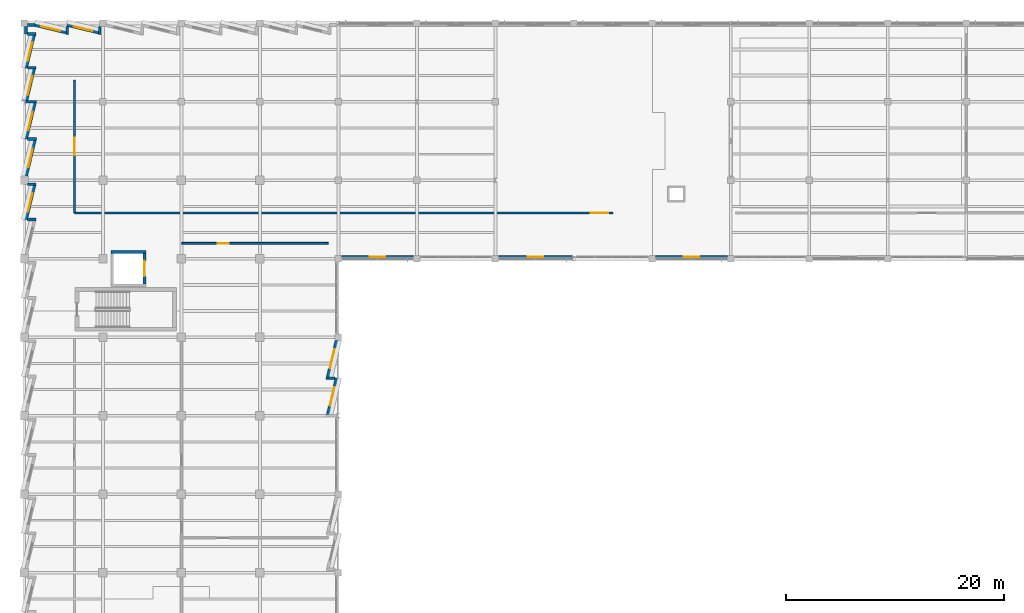
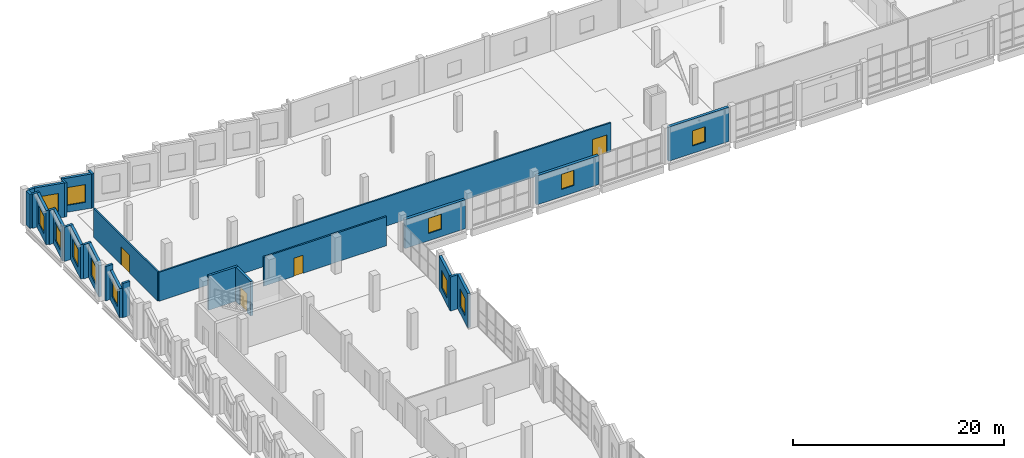
# One storey, part 72 of 94: 28 walls, 12 windows, 4 doors, 16 openings.
"""IFC4 building model written with IfcOpenShell, lengths in metres."""

from ifc_helpers import new_model, si_unit, direction, frame, frame_2d, origin, place, context, subcontext, project, spatial, rectangle, extrude, material, layer, layer_set, type_object, element, fill, save


model = new_model("IFC4")

# Units and contexts
model_context = context("Model", 3, precision=1e-05, world=origin(), true_north=direction((0.0, 1.0)))
body_context = subcontext(model_context, "Body", "Model", "MODEL_VIEW")
ifc_project = project(units=[si_unit("LENGTHUNIT", "METRE"), si_unit("AREAUNIT", "SQUARE_METRE"), si_unit("VOLUMEUNIT", "CUBIC_METRE"), si_unit("PLANEANGLEUNIT", "RADIAN"), si_unit("MASSUNIT", "GRAM", prefix="KILO")], contexts=[model_context])

# Site, building, storey
site_placement = place(None, origin())
site = spatial("IfcSite", under=ifc_project, at=site_placement, CompositionType="ELEMENT")
building_placement = place(site_placement, origin())
building = spatial("IfcBuilding", under=site, at=building_placement, Name="Kalmorath City Hall", CompositionType="ELEMENT")
storey_placement = place(building_placement, frame((0.0, 0.0, 14.699951171875)))
storey = spatial("IfcBuildingStorey", under=building, at=storey_placement, Name="L03", CompositionType="ELEMENT", Elevation=14.699951171875)

# Wall, opening, door
ifc_material_1 = material(Name="High-STC double-stud acoustic partition")
ifc_layer_1 = layer(ifc_material_1, 0.1650390625)
ifc_layer_set_1 = layer_set([ifc_layer_1], Name="High-STC double-stud acoustic partition")
wall_type_1 = type_object("IfcWallType", Name="Chamber and committee acoustic partition 165", PredefinedType="PARTITIONING", material=ifc_layer_set_1)
wall_1_placement = place(storey_placement, frame((4.60009765625, 97.840087890625, 0.0), z_axis=(0.0, 0.0, 1.0), x_axis=(0.0, 1.0, 0.0)))
wall_1 = element("IfcWall", 1, at=wall_1_placement, inside=storey, type_object=wall_type_1, Name="L03 interior partition PW3 #132", PredefinedType="PARTITIONING", context=body_context, shape_type="SweptSolid", body=[
    extrude(rectangle(XDim=12.119873046875, YDim=0.1650390625, at=frame_2d((6.06005859375, 0.0))), origin(), (0.0, 0.0, 1.0), 3.365966796875),
])
opening_1_placement = place(wall_1_placement, frame((5.260009765625, 0.0, 0.0)))
opening_1 = element("IfcOpeningElement", 2, at=opening_1_placement, cuts=wall_1, Name="Opening D-L03-230", PredefinedType="OPENING", context=body_context, shape_type="SweptSolid", body=[
    extrude(rectangle(XDim=1.60009765625, YDim=2.10009765625, at=frame_2d((0.800048828125, 1.050048828125))), frame((0.0, 0.092529296875, 0.0), z_axis=(0.0, -1.0, 0.0), x_axis=(1.0, 0.0, 0.0)), (0.0, 0.0, 1.0), 0.18505859375),
])
ifc_material_2 = material(Name="Acoustic hardwood fire door", Category="wood")
door_type_1 = type_object("IfcDoorType", Name="Committee double fire door 1600x2100", OperationType="DOUBLE_DOOR_SINGLE_SWING", PredefinedType="DOOR", material=ifc_material_2)
door_1_placement = place(opening_1_placement, origin())
door_1 = element("IfcDoor", 3, at=door_1_placement, inside=storey, type_object=door_type_1, Name="L03 door D-L03-230", OperationType="DOUBLE_DOOR_SINGLE_SWING", OverallHeight=2.10009765625, OverallWidth=1.60009765625, PredefinedType="DOOR", context=body_context, shape_type="SweptSolid", body=[
    extrude(rectangle(XDim=1.60009765625, YDim=2.10009765625, at=frame_2d((0.800048828125, 1.050048828125))), frame((0.0, 0.02490234375, 0.0), z_axis=(0.0, -1.0, 0.0), x_axis=(1.0, 0.0, 0.0)), (0.0, 0.0, 1.0), 0.050048828125),
])
fill(opening_1, door_1)

wall_2_placement = place(storey_placement, frame((4.639892578125, 97.800048828125, 0.0), z_axis=(0.0, 0.0, 1.0), x_axis=(1.0, 0.0, 0.0)))
wall_2 = element("IfcWall", 4, at=wall_2_placement, inside=storey, type_object=wall_type_1, Name="L03 interior partition PW3 #140", PredefinedType="PARTITIONING", context=body_context, shape_type="SweptSolid", body=[
    extrude(rectangle(XDim=49.320068359375, YDim=0.1650390625, at=frame_2d((24.66015625, 0.0))), origin(), (0.0, 0.0, 1.0), 3.35205078125),
])
opening_2_placement = place(wall_2_placement, frame((47.300048828125, 0.0, 0.0)))
opening_2 = element("IfcOpeningElement", 5, at=opening_2_placement, cuts=wall_2, Name="Opening D-L03-229", PredefinedType="OPENING", context=body_context, shape_type="SweptSolid", body=[
    extrude(rectangle(XDim=1.60009765625, YDim=2.10009765625, at=frame_2d((0.800048828125, 1.050048828125))), frame((0.0, 0.092529296875, 0.0), z_axis=(0.0, -1.0, 0.0), x_axis=(1.0, 0.0, 0.0)), (0.0, 0.0, 1.0), 0.18505859375),
])
door_2_placement = place(opening_2_placement, origin())
door_2 = element("IfcDoor", 6, at=door_2_placement, inside=storey, type_object=door_type_1, Name="L03 door D-L03-229", OperationType="DOUBLE_DOOR_SINGLE_SWING", OverallHeight=2.10009765625, OverallWidth=1.60009765625, PredefinedType="DOOR", context=body_context, shape_type="SweptSolid", body=[
    extrude(rectangle(XDim=1.60009765625, YDim=2.10009765625, at=frame_2d((0.800048828125, 1.050048828125))), frame((0.0, 0.02490234375, 0.0), z_axis=(0.0, -1.0, 0.0), x_axis=(1.0, 0.0, 0.0)), (0.0, 0.0, 1.0), 0.050048828125),
])
fill(opening_2, door_2)

# Wall
ifc_material_3 = material(Name="Concrete C50/60", Category="concrete")
ifc_layer_2 = layer(ifc_material_3, 0.25)
ifc_layer_set_2 = layer_set([ifc_layer_2], Name="Concrete C50/60")
wall_type_2 = type_object("IfcWallType", Name="Concrete lift shaft wall 250", PredefinedType="SHEAR", material=ifc_layer_set_2)
wall_3_placement = place(storey_placement, frame((11.14990234375, 94.22509765625, 0.0), z_axis=(0.0, 0.0, 1.0), x_axis=(-1.0, 0.0, 0.0)))
element("IfcWall", 7, at=wall_3_placement, inside=storey, type_object=wall_type_2, Name="L03 SL1 lift shaft wall +y", PredefinedType="SHEAR", context=body_context, shape_type="SweptSolid", body=[
    extrude(rectangle(XDim=3.199951171875, YDim=0.25, at=frame_2d((1.60009765625, 0.0))), origin(), (0.0, 0.0, 1.0), 3.949951171875),
])

# Wall, opening, door
wall_4_placement = place(storey_placement, frame((11.02490234375, 91.300048828125, 0.0), z_axis=(0.0, 0.0, 1.0), x_axis=(0.0, 1.0, 0.0)))
wall_4 = element("IfcWall", 8, at=wall_4_placement, inside=storey, type_object=wall_type_2, Name="L03 SL1 lift shaft wall +x", PredefinedType="SHEAR", context=body_context, shape_type="SweptSolid", body=[
    extrude(rectangle(XDim=2.800048828125, YDim=0.25, at=frame_2d((1.39990234375, 0.0))), origin(), (0.0, 0.0, 1.0), 3.949951171875),
])
opening_3_placement = place(wall_4_placement, frame((0.699951171875, 0.0, 0.0)))
opening_3 = element("IfcOpeningElement", 9, at=opening_3_placement, cuts=wall_4, Name="Opening LD-089", PredefinedType="OPENING", context=body_context, shape_type="SweptSolid", body=[
    extrude(rectangle(XDim=1.39990234375, YDim=2.14990234375, at=frame_2d((0.699951171875, 1.074951171875))), frame((0.0, 0.135009765625, 0.0), z_axis=(0.0, -1.0, 0.0), x_axis=(1.0, 0.0, 0.0)), (0.0, 0.0, 1.0), 0.27001953125),
])
ifc_material_4 = material(Name="Stainless steel sliding landing door", Category="steel")
door_type_2 = type_object("IfcDoorType", Name="Goods lift sliding landing door 1400x2150", OperationType="SLIDING_TO_LEFT", PredefinedType="DOOR", material=ifc_material_4)
door_3_placement = place(opening_3_placement, origin())
door_3 = element("IfcDoor", 10, at=door_3_placement, inside=storey, type_object=door_type_2, Name="L03 door LD-089", OperationType="SLIDING_TO_LEFT", OverallHeight=2.14990234375, OverallWidth=1.39990234375, PredefinedType="DOOR", context=body_context, shape_type="SweptSolid", body=[
    extrude(rectangle(XDim=1.39990234375, YDim=2.14990234375, at=frame_2d((0.699951171875, 1.074951171875))), frame((0.0, 0.02490234375, 0.0), z_axis=(0.0, -1.0, 0.0), x_axis=(1.0, 0.0, 0.0)), (0.0, 0.0, 1.0), 0.050048828125),
])
fill(opening_3, door_3)

ifc_material_5 = material(Name="Fire-rated acoustic gypsum partition")
ifc_layer_3 = layer(ifc_material_5, 0.179931640625)
ifc_layer_set_3 = layer_set([ifc_layer_3], Name="Fire-rated acoustic gypsum partition")
wall_type_3 = type_object("IfcWallType", Name="One-hour corridor fire partition 180", PredefinedType="PARTITIONING", material=ifc_layer_set_3)
wall_5_placement = place(storey_placement, frame((14.43994140625, 95.0, 0.0), z_axis=(0.0, 0.0, 1.0), x_axis=(1.0, 0.0, 0.0)))
wall_5 = element("IfcWall", 11, at=wall_5_placement, inside=storey, type_object=wall_type_3, Name="L03 interior partition PW2 #139", PredefinedType="PARTITIONING", context=body_context, shape_type="SweptSolid", body=[
    extrude(rectangle(XDim=13.420166015625, YDim=0.179931640625, at=frame_2d((6.7099609375, 0.0))), origin(), (0.0, 0.0, 1.0), 3.35205078125),
])
opening_4_placement = place(wall_5_placement, frame((3.320068359375, 0.0, 0.0)))
opening_4 = element("IfcOpeningElement", 12, at=opening_4_placement, cuts=wall_5, Name="Opening D-L03-227", PredefinedType="OPENING", context=body_context, shape_type="SweptSolid", body=[
    extrude(rectangle(XDim=0.97998046875, YDim=2.10009765625, at=frame_2d((0.489990234375, 1.050048828125))), frame((0.0, 0.099853515625, 0.0), z_axis=(0.0, -1.0, 0.0), x_axis=(1.0, 0.0, 0.0)), (0.0, 0.0, 1.0), 0.199951171875),
])
ifc_material_6 = material(Name="Hardwood veneer door", Category="wood")
door_type_3 = type_object("IfcDoorType", Name="Municipal suite single door 980x2100", OperationType="NOTDEFINED", PredefinedType="DOOR", material=ifc_material_6)
door_4_placement = place(opening_4_placement, origin())
door_4 = element("IfcDoor", 13, at=door_4_placement, inside=storey, type_object=door_type_3, Name="L03 door D-L03-227", OperationType="SINGLE_SWING_LEFT", OverallHeight=2.10009765625, OverallWidth=0.97998046875, PredefinedType="DOOR", context=body_context, shape_type="SweptSolid", body=[
    extrude(rectangle(XDim=0.97998046875, YDim=2.10009765625, at=frame_2d((0.489990234375, 1.050048828125))), frame((0.0, 0.02490234375, 0.0), z_axis=(0.0, -1.0, 0.0), x_axis=(1.0, 0.0, 0.0)), (0.0, 0.0, 1.0), 0.050048828125),
])
fill(opening_4, door_4)

# Walls
ifc_material_7 = material(Name="Precast concrete C40/50", Category="concrete")
ifc_layer_4 = layer(ifc_material_7, 0.239990234375)
ifc_layer_set_4 = layer_set([ifc_layer_4], Name="Precast concrete C40/50")
wall_type_4 = type_object("IfcWallType", Name="Precast sawtooth cheek wall 240", PredefinedType="SOLIDWALL", material=ifc_layer_set_4)
for number, where, z_axis, x_axis, name in (
    (14, (1.0791015625, 97.199951171875, 0.0), (0.0, 0.0, 1.0), (-1.0, 0.0, 0.0), "L03 sawtooth return cheek #583"),
    (15, (1.0791015625, 100.424072265625, 0.0), (0.0, 0.0, 1.0), (-1.0, 0.0, 0.0), "L03 sawtooth return cheek #585"),
):
    element("IfcWall", number, at=place(storey_placement, frame(where, z_axis=z_axis, x_axis=x_axis)), inside=storey, type_object=wall_type_4, Name=name, PredefinedType="SOLIDWALL", context=body_context, shape_type="SweptSolid", body=[
        extrude(rectangle(XDim=0.787109375, YDim=0.239990234375, at=frame_2d((0.3935546875, 0.0))), origin(), (0.0, 0.0, 1.0), 3.949951171875),
    ])
wall_6_placement = place(storey_placement, frame((1.1240234375, 104.587890625, 0.0), z_axis=(0.0, 0.0, 1.0), x_axis=(-1.0, 0.0, 0.0)))
element("IfcWall", 16, at=wall_6_placement, inside=storey, type_object=wall_type_4, Name="L03 sawtooth return cheek #587", PredefinedType="SOLIDWALL", context=body_context, shape_type="SweptSolid", body=[
    extrude(rectangle(XDim=0.83203125, YDim=0.239990234375, at=frame_2d((0.416015625, 0.0))), origin(), (0.0, 0.0, 1.0), 3.949951171875),
])
wall_7_placement = place(storey_placement, frame((1.1240234375, 108.0, 0.0), z_axis=(0.0, 0.0, 1.0), x_axis=(-1.0, 0.0, 0.0)))
element("IfcWall", 17, at=wall_7_placement, inside=storey, type_object=wall_type_4, Name="L03 sawtooth return cheek #589", PredefinedType="SOLIDWALL", context=body_context, shape_type="SweptSolid", body=[
    extrude(rectangle(XDim=0.984130859375, YDim=0.239990234375, at=frame_2d((0.4921875, 0.0))), origin(), (0.0, 0.0, 1.0), 3.949951171875),
])
wall_8_placement = place(storey_placement, frame((1.051513671875, 111.109619140625, 0.0), z_axis=(0.0, 0.0, 1.0), x_axis=(-1.0, 0.0, 0.0)))
element("IfcWall", 18, at=wall_8_placement, inside=storey, type_object=wall_type_4, Name="L03 sawtooth return cheek #592", PredefinedType="SOLIDWALL", context=body_context, shape_type="SweptSolid", body=[
    extrude(rectangle(XDim=0.759521484375, YDim=0.239990234375, at=frame_2d((0.3798828125, 0.0))), origin(), (0.0, 0.0, 1.0), 3.949951171875),
])
wall_9_placement = place(storey_placement, frame((1.051513671875, 114.218994140625, 0.0), z_axis=(0.0, 0.0, 1.0), x_axis=(-1.0, 0.0, 0.0)))
element("IfcWall", 19, at=wall_9_placement, inside=storey, type_object=wall_type_4, Name="L03 sawtooth return cheek #594", PredefinedType="SOLIDWALL", context=body_context, shape_type="SweptSolid", body=[
    extrude(rectangle(XDim=0.76953125, YDim=0.239990234375, at=frame_2d((0.384765625, 0.0))), origin(), (0.0, 0.0, 1.0), 3.949951171875),
])
for number, where, z_axis, x_axis, name in (
    (20, (3.93994140625, 114.1845703125, 0.0), (0.0, 0.0, 1.0), (0.0, 1.0, 0.0), "L03 sawtooth return cheek #597"),
    (21, (6.89892578125, 114.1845703125, 0.0), (0.0, 0.0, 1.0), (0.0, 1.0, 0.0), "L03 sawtooth return cheek #599"),
):
    element("IfcWall", number, at=place(storey_placement, frame(where, z_axis=z_axis, x_axis=x_axis)), inside=storey, type_object=wall_type_4, Name=name, PredefinedType="SOLIDWALL", context=body_context, shape_type="SweptSolid", body=[
        extrude(rectangle(XDim=0.723388671875, YDim=0.239990234375, at=frame_2d((0.36181640625, 0.0))), origin(), (0.0, 0.0, 1.0), 3.949951171875),
    ])
wall_10_placement = place(storey_placement, frame((27.666748046875, 82.6494140625, 0.0), z_axis=(0.0, 0.0, 1.0), x_axis=(1.0, 0.0, 0.0)))
element("IfcWall", 22, at=wall_10_placement, inside=storey, type_object=wall_type_4, Name="L03 sawtooth return cheek #635", PredefinedType="SOLIDWALL", context=body_context, shape_type="SweptSolid", body=[
    extrude(rectangle(XDim=0.84130859375, YDim=0.239990234375, at=frame_2d((0.420654296875, 0.0))), origin(), (0.0, 0.0, 1.0), 3.949951171875),
])

# Wall, opening, window
ifc_material_8 = material(Name="Precast concrete C40/50", Category="concrete")
ifc_layer_5 = layer(ifc_material_8, 0.280029296875)
ifc_layer_set_5 = layer_set([ifc_layer_5], Name="Precast concrete C40/50")
wall_type_5 = type_object("IfcWallType", Name="Precast sawtooth facade wall 280", PredefinedType="SOLIDWALL", material=ifc_layer_set_5)
wall_11_placement = place(storey_placement, frame((0.159912109375, 97.199951171875, 0.0), z_axis=(0.0, 0.0, 1.0), x_axis=(0.233481900362, 0.972361148033, 0.0)))
wall_11 = element("IfcWall", 23, at=wall_11_placement, inside=storey, type_object=wall_type_5, Name="L03 sawtooth precast frame #584", PredefinedType="SOLIDWALL", context=body_context, shape_type="SweptSolid", body=[
    extrude(rectangle(XDim=3.220703125, YDim=0.280029296875, at=frame_2d((1.6103515625, 0.0))), origin(), (0.0, 0.0, 1.0), 3.365966796875),
])
opening_5_placement = place(wall_11_placement, frame((0.7353515625, 0.0, 0.800048828125)))
opening_5 = element("IfcOpeningElement", 24, at=opening_5_placement, cuts=wall_11, Name="Opening WN1", PredefinedType="OPENING", context=body_context, shape_type="SweptSolid", body=[
    extrude(rectangle(XDim=1.75, YDim=2.050048828125, at=frame_2d((0.875, 1.02490234375))), frame((0.0, 0.14990234375, 0.0), z_axis=(0.0, -1.0, 0.0), x_axis=(1.0, 0.0, 0.0)), (0.0, 0.0, 1.0), 0.300048828125),
])
ifc_material_9 = material(Name="Aluminium and laminated glass", Category="aluminium")
window_type_1 = type_object("IfcWindowType", Name="Sawtooth hurricane window 1750x2050", PartitioningType="SINGLE_PANEL", PredefinedType="WINDOW", material=ifc_material_9)
window_1_placement = place(opening_5_placement, origin())
window_1 = element("IfcWindow", 25, at=window_1_placement, inside=storey, type_object=window_type_1, Name="L03 window WN1-302", OverallHeight=2.050048828125, OverallWidth=1.75, PartitioningType="SINGLE_PANEL", PredefinedType="WINDOW", context=body_context, shape_type="SweptSolid", body=[
    extrude(rectangle(XDim=1.75, YDim=2.050048828125, at=frame_2d((0.875, 1.02490234375))), frame((0.0, 0.030029296875, 0.0), z_axis=(0.0, -1.0, 0.0), x_axis=(1.0, 0.0, 0.0)), (0.0, 0.0, 1.0), 0.06005859375),
])
fill(opening_5, window_1)

wall_12_placement = place(storey_placement, frame((0.159912109375, 101.176025390625, 0.0), z_axis=(0.0, 0.0, 1.0), x_axis=(0.23342163795, 0.972375616178, 0.0)))
wall_12 = element("IfcWall", 26, at=wall_12_placement, inside=storey, type_object=wall_type_5, Name="L03 sawtooth precast frame #586", PredefinedType="SOLIDWALL", context=body_context, shape_type="SweptSolid", body=[
    extrude(rectangle(XDim=3.413818359375, YDim=0.280029296875, at=frame_2d((1.70703125, 0.0))), origin(), (0.0, 0.0, 1.0), 3.949951171875),
])
opening_6_placement = place(wall_12_placement, frame((0.83203125, 0.0, 0.800048828125)))
opening_6 = element("IfcOpeningElement", 27, at=opening_6_placement, cuts=wall_12, Name="Opening WN1", PredefinedType="OPENING", context=body_context, shape_type="SweptSolid", body=[
    extrude(rectangle(XDim=1.75, YDim=2.050048828125, at=frame_2d((0.875, 1.02490234375))), frame((0.0, 0.14990234375, 0.0), z_axis=(0.0, -1.0, 0.0), x_axis=(1.0, 0.0, 0.0)), (0.0, 0.0, 1.0), 0.300048828125),
])
window_2_placement = place(opening_6_placement, origin())
window_2 = element("IfcWindow", 28, at=window_2_placement, inside=storey, type_object=window_type_1, Name="L03 window WN1-303", OverallHeight=2.050048828125, OverallWidth=1.75, PartitioningType="SINGLE_PANEL", PredefinedType="WINDOW", context=body_context, shape_type="SweptSolid", body=[
    extrude(rectangle(XDim=1.75, YDim=2.050048828125, at=frame_2d((0.875, 1.02490234375))), frame((0.0, 0.030029296875, 0.0), z_axis=(0.0, -1.0, 0.0), x_axis=(1.0, 0.0, 0.0)), (0.0, 0.0, 1.0), 0.06005859375),
])
fill(opening_6, window_2)

wall_13_placement = place(storey_placement, frame((0.159912109375, 104.587890625, 0.0), z_axis=(0.0, 0.0, 1.0), x_axis=(0.233405407266, 0.972379512258, 0.0)))
wall_13 = element("IfcWall", 29, at=wall_13_placement, inside=storey, type_object=wall_type_5, Name="L03 sawtooth precast frame #588", PredefinedType="SOLIDWALL", context=body_context, shape_type="SweptSolid", body=[
    extrude(rectangle(XDim=3.4140625, YDim=0.280029296875, at=frame_2d((1.70703125, 0.0))), origin(), (0.0, 0.0, 1.0), 3.949951171875),
])
opening_7_placement = place(wall_13_placement, frame((0.83203125, 0.0, 0.800048828125)))
opening_7 = element("IfcOpeningElement", 30, at=opening_7_placement, cuts=wall_13, Name="Opening WN1", PredefinedType="OPENING", context=body_context, shape_type="SweptSolid", body=[
    extrude(rectangle(XDim=1.75, YDim=2.050048828125, at=frame_2d((0.875, 1.02490234375))), frame((0.0, 0.14990234375, 0.0), z_axis=(0.0, -1.0, 0.0), x_axis=(1.0, 0.0, 0.0)), (0.0, 0.0, 1.0), 0.300048828125),
])
window_3_placement = place(opening_7_placement, origin())
window_3 = element("IfcWindow", 31, at=window_3_placement, inside=storey, type_object=window_type_1, Name="L03 window WN1-304", OverallHeight=2.050048828125, OverallWidth=1.75, PartitioningType="SINGLE_PANEL", PredefinedType="WINDOW", context=body_context, shape_type="SweptSolid", body=[
    extrude(rectangle(XDim=1.75, YDim=2.050048828125, at=frame_2d((0.875, 1.02490234375))), frame((0.0, 0.030029296875, 0.0), z_axis=(0.0, -1.0, 0.0), x_axis=(1.0, 0.0, 0.0)), (0.0, 0.0, 1.0), 0.06005859375),
])
fill(opening_7, window_3)

wall_14_placement = place(storey_placement, frame((0.159912109375, 108.0, 0.0), z_axis=(0.0, 0.0, 1.0), x_axis=(0.233453301476, 0.972368014709, 0.0)))
wall_14 = element("IfcWall", 32, at=wall_14_placement, inside=storey, type_object=wall_type_5, Name="L03 sawtooth precast frame #591", PredefinedType="SOLIDWALL", context=body_context, shape_type="SweptSolid", body=[
    extrude(rectangle(XDim=3.102783203125, YDim=0.280029296875, at=frame_2d((1.55126953125, 0.0))), origin(), (0.0, 0.0, 1.0), 3.949951171875),
])
opening_8_placement = place(wall_14_placement, frame((0.676513671875, 0.0, 0.800048828125)))
opening_8 = element("IfcOpeningElement", 33, at=opening_8_placement, cuts=wall_14, Name="Opening WN1", PredefinedType="OPENING", context=body_context, shape_type="SweptSolid", body=[
    extrude(rectangle(XDim=1.75, YDim=2.050048828125, at=frame_2d((0.875, 1.02490234375))), frame((0.0, 0.14990234375, 0.0), z_axis=(0.0, -1.0, 0.0), x_axis=(1.0, 0.0, 0.0)), (0.0, 0.0, 1.0), 0.300048828125),
])
window_4_placement = place(opening_8_placement, origin())
window_4 = element("IfcWindow", 34, at=window_4_placement, inside=storey, type_object=window_type_1, Name="L03 window WN1-305", OverallHeight=2.050048828125, OverallWidth=1.75, PartitioningType="SINGLE_PANEL", PredefinedType="WINDOW", context=body_context, shape_type="SweptSolid", body=[
    extrude(rectangle(XDim=1.75, YDim=2.050048828125, at=frame_2d((0.875, 1.02490234375))), frame((0.0, 0.030029296875, 0.0), z_axis=(0.0, -1.0, 0.0), x_axis=(1.0, 0.0, 0.0)), (0.0, 0.0, 1.0), 0.06005859375),
])
fill(opening_8, window_4)

wall_15_placement = place(storey_placement, frame((0.159912109375, 111.109619140625, 0.0), z_axis=(0.0, 0.0, 1.0), x_axis=(0.233453301476, 0.972368014709, 0.0)))
wall_15 = element("IfcWall", 35, at=wall_15_placement, inside=storey, type_object=wall_type_5, Name="L03 sawtooth precast frame #593", PredefinedType="SOLIDWALL", context=body_context, shape_type="SweptSolid", body=[
    extrude(rectangle(XDim=3.102783203125, YDim=0.280029296875, at=frame_2d((1.55126953125, 0.0))), origin(), (0.0, 0.0, 1.0), 3.949951171875),
])
opening_9_placement = place(wall_15_placement, frame((0.676513671875, 0.0, 0.800048828125)))
opening_9 = element("IfcOpeningElement", 36, at=opening_9_placement, cuts=wall_15, Name="Opening WN1", PredefinedType="OPENING", context=body_context, shape_type="SweptSolid", body=[
    extrude(rectangle(XDim=1.75, YDim=2.050048828125, at=frame_2d((0.875, 1.02490234375))), frame((0.0, 0.14990234375, 0.0), z_axis=(0.0, -1.0, 0.0), x_axis=(1.0, 0.0, 0.0)), (0.0, 0.0, 1.0), 0.300048828125),
])
window_5_placement = place(opening_9_placement, origin())
window_5 = element("IfcWindow", 37, at=window_5_placement, inside=storey, type_object=window_type_1, Name="L03 window WN1-306", OverallHeight=2.050048828125, OverallWidth=1.75, PartitioningType="SINGLE_PANEL", PredefinedType="WINDOW", context=body_context, shape_type="SweptSolid", body=[
    extrude(rectangle(XDim=1.75, YDim=2.050048828125, at=frame_2d((0.875, 1.02490234375))), frame((0.0, 0.030029296875, 0.0), z_axis=(0.0, -1.0, 0.0), x_axis=(1.0, 0.0, 0.0)), (0.0, 0.0, 1.0), 0.06005859375),
])
fill(opening_9, window_5)

wall_16_placement = place(storey_placement, frame((0.98095703125, 115.0400390625, 0.0), z_axis=(0.0, 0.0, 1.0), x_axis=(0.972370010422, -0.233444988876, 0.0)))
wall_16 = element("IfcWall", 38, at=wall_16_placement, inside=storey, type_object=wall_type_5, Name="L03 sawtooth precast frame #596", PredefinedType="SOLIDWALL", context=body_context, shape_type="SweptSolid", body=[
    extrude(rectangle(XDim=2.9482421875, YDim=0.280029296875, at=frame_2d((1.47412109375, 0.0))), origin(), (0.0, 0.0, 1.0), 3.949951171875),
])
opening_10_placement = place(wall_16_placement, frame((0.59912109375, 0.0, 0.800048828125)))
opening_10 = element("IfcOpeningElement", 39, at=opening_10_placement, cuts=wall_16, Name="Opening WN1", PredefinedType="OPENING", context=body_context, shape_type="SweptSolid", body=[
    extrude(rectangle(XDim=1.75, YDim=2.050048828125, at=frame_2d((0.875, 1.02490234375))), frame((0.0, 0.14990234375, 0.0), z_axis=(0.0, -1.0, 0.0), x_axis=(1.0, 0.0, 0.0)), (0.0, 0.0, 1.0), 0.300048828125),
])
window_6_placement = place(opening_10_placement, origin())
window_6 = element("IfcWindow", 40, at=window_6_placement, inside=storey, type_object=window_type_1, Name="L03 window WN1-307", OverallHeight=2.050048828125, OverallWidth=1.75, PartitioningType="SINGLE_PANEL", PredefinedType="WINDOW", context=body_context, shape_type="SweptSolid", body=[
    extrude(rectangle(XDim=1.75, YDim=2.050048828125, at=frame_2d((0.875, 1.02490234375))), frame((0.0, 0.030029296875, 0.0), z_axis=(0.0, -1.0, 0.0), x_axis=(1.0, 0.0, 0.0)), (0.0, 0.0, 1.0), 0.06005859375),
])
fill(opening_10, window_6)

wall_17_placement = place(storey_placement, frame((3.93994140625, 115.0400390625, 0.0), z_axis=(0.0, 0.0, 1.0), x_axis=(0.972370010422, -0.233444988876, 0.0)))
wall_17 = element("IfcWall", 41, at=wall_17_placement, inside=storey, type_object=wall_type_5, Name="L03 sawtooth precast frame #598", PredefinedType="SOLIDWALL", context=body_context, shape_type="SweptSolid", body=[
    extrude(rectangle(XDim=2.9482421875, YDim=0.280029296875, at=frame_2d((1.47412109375, 0.0))), origin(), (0.0, 0.0, 1.0), 3.949951171875),
])
opening_11_placement = place(wall_17_placement, frame((0.59912109375, 0.0, 0.800048828125)))
opening_11 = element("IfcOpeningElement", 42, at=opening_11_placement, cuts=wall_17, Name="Opening WN1", PredefinedType="OPENING", context=body_context, shape_type="SweptSolid", body=[
    extrude(rectangle(XDim=1.75, YDim=2.050048828125, at=frame_2d((0.875, 1.02490234375))), frame((0.0, 0.14990234375, 0.0), z_axis=(0.0, -1.0, 0.0), x_axis=(1.0, 0.0, 0.0)), (0.0, 0.0, 1.0), 0.300048828125),
])
window_7_placement = place(opening_11_placement, origin())
window_7 = element("IfcWindow", 43, at=window_7_placement, inside=storey, type_object=window_type_1, Name="L03 window WN1-308", OverallHeight=2.050048828125, OverallWidth=1.75, PartitioningType="SINGLE_PANEL", PredefinedType="WINDOW", context=body_context, shape_type="SweptSolid", body=[
    extrude(rectangle(XDim=1.75, YDim=2.050048828125, at=frame_2d((0.875, 1.02490234375))), frame((0.0, 0.030029296875, 0.0), z_axis=(0.0, -1.0, 0.0), x_axis=(1.0, 0.0, 0.0)), (0.0, 0.0, 1.0), 0.06005859375),
])
fill(opening_11, window_7)

wall_18_placement = place(storey_placement, frame((28.639892578125, 86.09912109375, 0.0), z_axis=(0.0, 0.0, 1.0), x_axis=(-0.23342376713, -0.972375105059, 0.0)))
wall_18 = element("IfcWall", 44, at=wall_18_placement, inside=storey, type_object=wall_type_5, Name="L03 sawtooth precast frame #634", PredefinedType="SOLIDWALL", context=body_context, shape_type="SweptSolid", body=[
    extrude(rectangle(XDim=3.45263671875, YDim=0.280029296875, at=frame_2d((1.726318359375, 0.0))), origin(), (0.0, 0.0, 1.0), 3.949951171875),
])
opening_12_placement = place(wall_18_placement, frame((0.851318359375, 0.0, 0.800048828125)))
opening_12 = element("IfcOpeningElement", 45, at=opening_12_placement, cuts=wall_18, Name="Opening WN1", PredefinedType="OPENING", context=body_context, shape_type="SweptSolid", body=[
    extrude(rectangle(XDim=1.75, YDim=2.050048828125, at=frame_2d((0.875, 1.02490234375))), frame((0.0, 0.14990234375, 0.0), z_axis=(0.0, -1.0, 0.0), x_axis=(1.0, 0.0, 0.0)), (0.0, 0.0, 1.0), 0.300048828125),
])
window_8_placement = place(opening_12_placement, origin())
window_8 = element("IfcWindow", 46, at=window_8_placement, inside=storey, type_object=window_type_1, Name="L03 window WN1-336", OverallHeight=2.050048828125, OverallWidth=1.75, PartitioningType="SINGLE_PANEL", PredefinedType="WINDOW", context=body_context, shape_type="SweptSolid", body=[
    extrude(rectangle(XDim=1.75, YDim=2.050048828125, at=frame_2d((0.875, 1.02490234375))), frame((0.0, 0.030029296875, 0.0), z_axis=(0.0, -1.0, 0.0), x_axis=(1.0, 0.0, 0.0)), (0.0, 0.0, 1.0), 0.06005859375),
])
fill(opening_12, window_8)

wall_19_placement = place(storey_placement, frame((28.639892578125, 82.6494140625, 0.0), z_axis=(0.0, 0.0, 1.0), x_axis=(-0.233439818328, -0.972371251744, 0.0)))
wall_19 = element("IfcWall", 47, at=wall_19_placement, inside=storey, type_object=wall_type_5, Name="L03 sawtooth precast frame #636", PredefinedType="SOLIDWALL", context=body_context, shape_type="SweptSolid", body=[
    extrude(rectangle(XDim=3.452392578125, YDim=0.280029296875, at=frame_2d((1.72607421875, 0.0))), origin(), (0.0, 0.0, 1.0), 3.949951171875),
])
opening_13_placement = place(wall_19_placement, frame((0.851318359375, 0.0, 0.800048828125)))
opening_13 = element("IfcOpeningElement", 48, at=opening_13_placement, cuts=wall_19, Name="Opening WN1", PredefinedType="OPENING", context=body_context, shape_type="SweptSolid", body=[
    extrude(rectangle(XDim=1.75, YDim=2.050048828125, at=frame_2d((0.875, 1.02490234375))), frame((0.0, 0.14990234375, 0.0), z_axis=(0.0, -1.0, 0.0), x_axis=(1.0, 0.0, 0.0)), (0.0, 0.0, 1.0), 0.300048828125),
])
window_9_placement = place(opening_13_placement, origin())
window_9 = element("IfcWindow", 49, at=window_9_placement, inside=storey, type_object=window_type_1, Name="L03 window WN1-337", OverallHeight=2.050048828125, OverallWidth=1.75, PartitioningType="SINGLE_PANEL", PredefinedType="WINDOW", context=body_context, shape_type="SweptSolid", body=[
    extrude(rectangle(XDim=1.75, YDim=2.050048828125, at=frame_2d((0.875, 1.02490234375))), frame((0.0, 0.030029296875, 0.0), z_axis=(0.0, -1.0, 0.0), x_axis=(1.0, 0.0, 0.0)), (0.0, 0.0, 1.0), 0.06005859375),
])
fill(opening_13, window_9)

# Walls
ifc_material_10 = material(Name="Precast concrete C40/50", Category="concrete")
ifc_layer_6 = layer(ifc_material_10, 0.260009765625)
ifc_layer_set_6 = layer_set([ifc_layer_6], Name="Precast concrete C40/50")
wall_type_6 = type_object("IfcWallType", Name="Precast sawtooth return wall 260", PredefinedType="SOLIDWALL", material=ifc_layer_set_6)
for number, where, z_axis, x_axis, name in (
    (50, (0.159912109375, 114.218994140625, 0.0), (0.0, 0.0, 1.0), (0.0, 1.0, 0.0), "L03 corner pier wall #590"),
    (51, (0.301025390625, 115.0400390625, 0.0), (0.0, 0.0, 1.0), (1.0, 0.0, 0.0), "L03 corner pier wall #595"),
):
    element("IfcWall", number, at=place(storey_placement, frame(where, z_axis=z_axis, x_axis=x_axis)), inside=storey, type_object=wall_type_6, Name=name, PredefinedType="SOLIDWALL", context=body_context, shape_type="SweptSolid", body=[
        extrude(rectangle(XDim=0.679931640625, YDim=0.260009765625, at=frame_2d((0.33984375, 0.0))), origin(), (0.0, 0.0, 1.0), 3.949951171875),
    ])

# Wall, opening, window
ifc_material_11 = material(Name="Concrete C40/50", Category="concrete")
ifc_layer_7 = layer(ifc_material_11, 0.300048828125)
ifc_layer_set_7 = layer_set([ifc_layer_7], Name="Concrete C40/50")
wall_type_7 = type_object("IfcWallType", Name="Volcanic basalt backup wall 300", PredefinedType="SOLIDWALL", material=ifc_layer_set_7)
wall_20_placement = place(storey_placement, frame((64.4990234375, 93.760009765625, 0.0), z_axis=(0.0, 0.0, 1.0), x_axis=(-1.0, 0.0, 0.0)))
wall_20 = element("IfcWall", 52, at=wall_20_placement, inside=storey, type_object=wall_type_7, Name="L03 basalt wing wall #631", PredefinedType="SOLIDWALL", context=body_context, shape_type="SweptSolid", body=[
    extrude(rectangle(XDim=6.59814453125, YDim=0.300048828125, at=frame_2d((3.299072265625, 0.0))), origin(), (0.0, 0.0, 1.0), 3.949951171875),
])
opening_14_placement = place(wall_20_placement, frame((2.59912109375, 0.0, 0.85009765625)))
opening_14 = element("IfcOpeningElement", 53, at=opening_14_placement, cuts=wall_20, Name="Opening WN11", PredefinedType="OPENING", context=body_context, shape_type="SweptSolid", body=[
    extrude(rectangle(XDim=1.39990234375, YDim=1.75, at=frame_2d((0.699951171875, 0.875))), frame((0.0, 0.159912109375, 0.0), z_axis=(0.0, -1.0, 0.0), x_axis=(1.0, 0.0, 0.0)), (0.0, 0.0, 1.0), 0.320068359375),
])
ifc_material_12 = material(Name="Bronze-anodised aluminium and glass", Category="aluminium")
window_type_2 = type_object("IfcWindowType", Name="Basalt north study window 1400x1750", PartitioningType="SINGLE_PANEL", PredefinedType="WINDOW", material=ifc_material_12)
window_10_placement = place(opening_14_placement, origin())
window_10 = element("IfcWindow", 54, at=window_10_placement, inside=storey, type_object=window_type_2, Name="L03 window WN11-333", OverallHeight=1.75, OverallWidth=1.39990234375, PartitioningType="SINGLE_PANEL", PredefinedType="WINDOW", context=body_context, shape_type="SweptSolid", body=[
    extrude(rectangle(XDim=1.39990234375, YDim=1.75, at=frame_2d((0.699951171875, 0.875))), frame((0.0, 0.030029296875, 0.0), z_axis=(0.0, -1.0, 0.0), x_axis=(1.0, 0.0, 0.0)), (0.0, 0.0, 1.0), 0.06005859375),
])
fill(opening_14, window_10)

wall_21_placement = place(storey_placement, frame((50.27197265625, 93.760009765625, 0.0), z_axis=(0.0, 0.0, 1.0), x_axis=(-1.0, 0.0, 0.0)))
wall_21 = element("IfcWall", 55, at=wall_21_placement, inside=storey, type_object=wall_type_7, Name="L03 basalt wing wall #632", PredefinedType="SOLIDWALL", context=body_context, shape_type="SweptSolid", body=[
    extrude(rectangle(XDim=6.77099609375, YDim=0.300048828125, at=frame_2d((3.385498046875, 0.0))), origin(), (0.0, 0.0, 1.0), 3.35205078125),
])
opening_15_placement = place(wall_21_placement, frame((2.685546875, 0.0, 0.85009765625)))
opening_15 = element("IfcOpeningElement", 56, at=opening_15_placement, cuts=wall_21, Name="Opening WN11", PredefinedType="OPENING", context=body_context, shape_type="SweptSolid", body=[
    extrude(rectangle(XDim=1.39990234375, YDim=1.75, at=frame_2d((0.699951171875, 0.875))), frame((0.0, 0.159912109375, 0.0), z_axis=(0.0, -1.0, 0.0), x_axis=(1.0, 0.0, 0.0)), (0.0, 0.0, 1.0), 0.320068359375),
])
window_11_placement = place(opening_15_placement, origin())
window_11 = element("IfcWindow", 57, at=window_11_placement, inside=storey, type_object=window_type_2, Name="L03 window WN11-334", OverallHeight=1.75, OverallWidth=1.39990234375, PartitioningType="SINGLE_PANEL", PredefinedType="WINDOW", context=body_context, shape_type="SweptSolid", body=[
    extrude(rectangle(XDim=1.39990234375, YDim=1.75, at=frame_2d((0.699951171875, 0.875))), frame((0.0, 0.030029296875, 0.0), z_axis=(0.0, -1.0, 0.0), x_axis=(1.0, 0.0, 0.0)), (0.0, 0.0, 1.0), 0.06005859375),
])
fill(opening_15, window_11)

wall_22_placement = place(storey_placement, frame((35.698974609375, 93.760009765625, 0.0), z_axis=(0.0, 0.0, 1.0), x_axis=(-1.0, 0.0, 0.0)))
wall_22 = element("IfcWall", 58, at=wall_22_placement, inside=storey, type_object=wall_type_7, Name="L03 basalt wing wall #633", PredefinedType="SOLIDWALL", context=body_context, shape_type="SweptSolid", body=[
    extrude(rectangle(XDim=6.597900390625, YDim=0.300048828125, at=frame_2d((3.298828125, 0.0))), origin(), (0.0, 0.0, 1.0), 3.35205078125),
])
opening_16_placement = place(wall_22_placement, frame((2.59912109375, 0.0, 0.85009765625)))
opening_16 = element("IfcOpeningElement", 59, at=opening_16_placement, cuts=wall_22, Name="Opening WN11", PredefinedType="OPENING", context=body_context, shape_type="SweptSolid", body=[
    extrude(rectangle(XDim=1.39990234375, YDim=1.75, at=frame_2d((0.699951171875, 0.875))), frame((0.0, 0.159912109375, 0.0), z_axis=(0.0, -1.0, 0.0), x_axis=(1.0, 0.0, 0.0)), (0.0, 0.0, 1.0), 0.320068359375),
])
window_12_placement = place(opening_16_placement, origin())
window_12 = element("IfcWindow", 60, at=window_12_placement, inside=storey, type_object=window_type_2, Name="L03 window WN11-335", OverallHeight=1.75, OverallWidth=1.39990234375, PartitioningType="SINGLE_PANEL", PredefinedType="WINDOW", context=body_context, shape_type="SweptSolid", body=[
    extrude(rectangle(XDim=1.39990234375, YDim=1.75, at=frame_2d((0.699951171875, 0.875))), frame((0.0, 0.030029296875, 0.0), z_axis=(0.0, -1.0, 0.0), x_axis=(1.0, 0.0, 0.0)), (0.0, 0.0, 1.0), 0.06005859375),
])
fill(opening_16, window_12)

save(model, "model.ifc")
